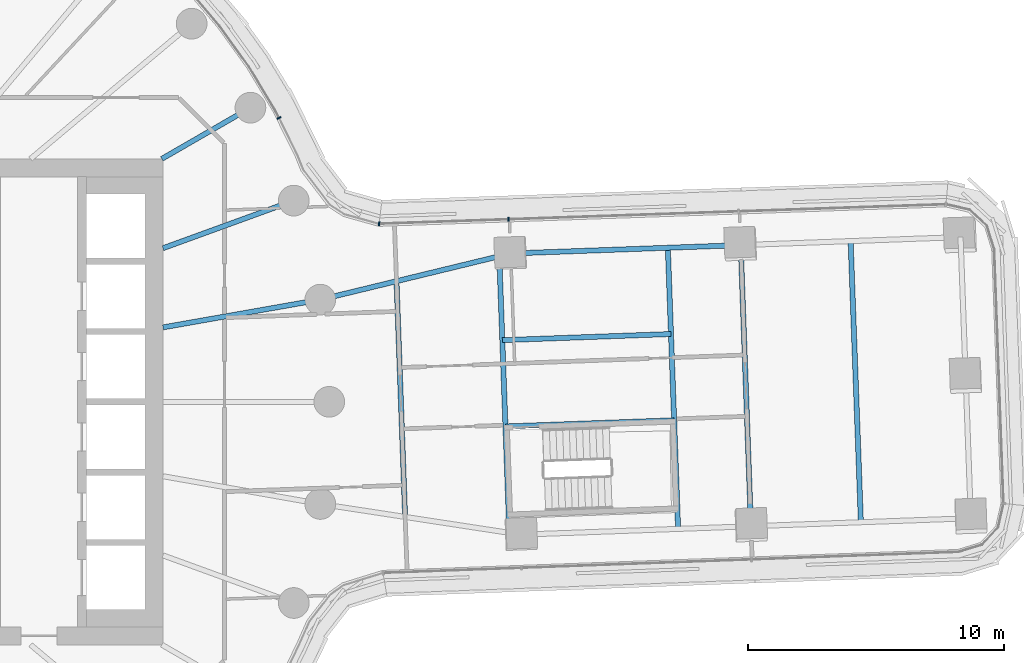
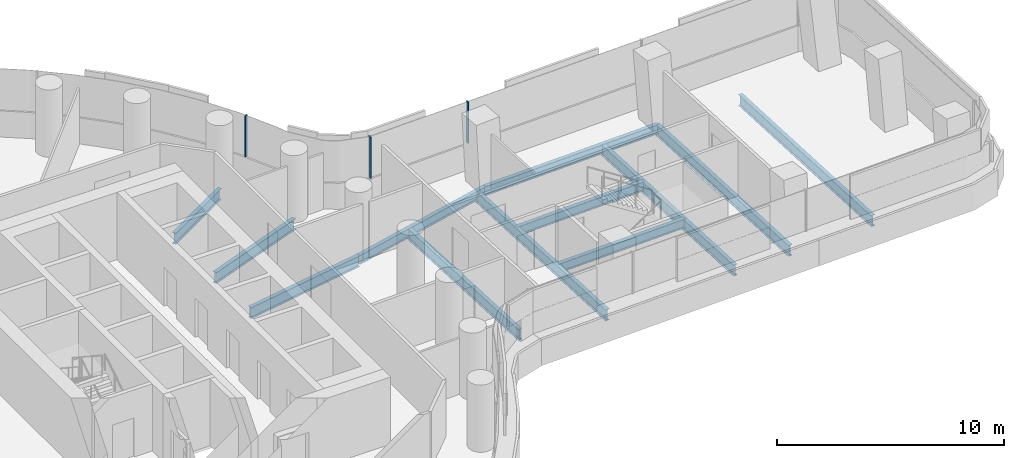
# One storey, part 11 of 31: 12 beams, 3 members, 2 elements without a shape of their own.
"""IFC4 building model written with IfcOpenShell, lengths in metres."""

from ifc_helpers import new_model, si_unit, direction, frame, origin, origin_2d, place, context, subcontext, project, spatial, rectangle, i_section, extrude, material, layer, layer_set, material_profile, profile_set, type_object, element, aggregate, save


model = new_model("IFC4")

# Units and contexts
model_context = context("Model", 3, precision=1e-05, world=origin(), true_north=direction((0.0, 1.0)))
body_context = subcontext(model_context, "Body", "Model", "MODEL_VIEW")
ifc_project = project(units=[si_unit("LENGTHUNIT", "METRE"), si_unit("AREAUNIT", "SQUARE_METRE"), si_unit("VOLUMEUNIT", "CUBIC_METRE"), si_unit("PLANEANGLEUNIT", "RADIAN"), si_unit("MASSUNIT", "GRAM", prefix="KILO")], contexts=[model_context])

# Site, building, storey
site_placement = place(None, origin())
site = spatial("IfcSite", under=ifc_project, at=site_placement, CompositionType="ELEMENT")
building_placement = place(site_placement, origin())
building = spatial("IfcBuilding", under=site, at=building_placement, Name="Tamarind Cross Interchange Tower", CompositionType="ELEMENT")
storey_placement = place(building_placement, frame((0.0, 0.0, 41.5)))
storey = spatial("IfcBuildingStorey", under=building, at=storey_placement, Name="L08", CompositionType="ELEMENT", Elevation=41.5)

# Beams
ifc_material_1 = material(Name="Steel Q355B", Category="steel")
ifc_material_profile_1 = material_profile(ifc_material_1, i_section(OverallWidth=0.198974609375, OverallDepth=0.49609375, WebThickness=0.009033203125, FlangeThickness=0.013916015625, FilletRadius=0.012939453125, at=origin_2d()), Name="HN 496x199x9x14")
ifc_profile_set_1 = profile_set([ifc_material_profile_1], Name="Steel Q355B")
beam_type_1 = type_object("IfcBeamType", Name="Composite beam HN 496x199x9x14 Q355B", PredefinedType="BEAM", material=ifc_profile_set_1)
beam_1_placement = place(storey_placement, frame((39.087890625, 6.127197265625, -0.387939453125), z_axis=(-0.999335156233, -0.036458819457, 0.0), x_axis=(0.036458819457, -0.999335156233, 0.0)))
element("IfcBeam", 1, at=beam_1_placement, inside=storey, type_object=beam_type_1, Name="Beam E-edgeep3", PredefinedType="BEAM", context=body_context, shape_type="SweptSolid", body=[
    extrude(i_section(OverallWidth=0.198974609375, OverallDepth=0.49609375, WebThickness=0.009033203125, FlangeThickness=0.013916015625, FilletRadius=0.012939453125, at=origin_2d()), origin(), (0.0, 0.0, 1.0), 9.0),
])
beam_2_placement = place(storey_placement, frame((30.093994140625, 5.799072265625, -0.387939453125), z_axis=(-0.971828427159, -0.235689431593, 0.0), x_axis=(0.235689431593, -0.971828427159, 0.0)))
element("IfcBeam", 2, at=beam_2_placement, inside=storey, type_object=beam_type_1, Name="Beam E-linkep", PredefinedType="BEAM", context=body_context, shape_type="SweptSolid", body=[
    extrude(i_section(OverallWidth=0.198974609375, OverallDepth=0.49609375, WebThickness=0.009033203125, FlangeThickness=0.013916015625, FilletRadius=0.012939453125, at=origin_2d()), origin(), (0.0, 0.0, 1.0), 7.6591796875),
])
beam_3_placement = place(storey_placement, frame((29.890380859375, -0.962890625, -0.387939453125), z_axis=(0.999334653103, 0.036472607638, 0.0), x_axis=(-0.036472607638, 0.999334653103, 0.0)))
element("IfcBeam", 3, at=beam_3_placement, inside=storey, type_object=beam_type_1, Name="Beam E-tr1", PredefinedType="BEAM", context=body_context, shape_type="SweptSolid", body=[
    extrude(i_section(OverallWidth=0.198974609375, OverallDepth=0.49609375, WebThickness=0.009033203125, FlangeThickness=0.013916015625, FilletRadius=0.012939453125, at=origin_2d()), origin(), (0.0, 0.0, 1.0), 6.60009765625),
])
beam_4_placement = place(storey_placement, frame((29.767333984375, 2.409912109375, -0.387939453125), z_axis=(0.999335951553, 0.036437013225, 0.0), x_axis=(-0.036437013225, 0.999335951553, 0.0)))
element("IfcBeam", 4, at=beam_4_placement, inside=storey, type_object=beam_type_1, Name="Beam E-stripp", PredefinedType="BEAM", context=body_context, shape_type="SweptSolid", body=[
    extrude(i_section(OverallWidth=0.198974609375, OverallDepth=0.49609375, WebThickness=0.009033203125, FlangeThickness=0.013916015625, FilletRadius=0.012939453125, at=origin_2d()), origin(), (0.0, 0.0, 1.0), 6.599853515625),
])
ifc_material_profile_2 = material_profile(ifc_material_1, i_section(OverallWidth=0.198974609375, OverallDepth=0.595947265625, WebThickness=0.010009765625, FlangeThickness=0.014892578125, FilletRadius=0.012939453125, at=origin_2d()), Name="HN 596x199x10x15")
ifc_profile_set_2 = profile_set([ifc_material_profile_2], Name="Steel Q355B")
beam_type_2 = type_object("IfcBeamType", Name="Composite beam HN 596x199x10x15 Q355B", PredefinedType="BEAM", material=ifc_profile_set_2)
beam_5_placement = place(storey_placement, frame((22.650634765625, 3.993896484375, -0.43798828125), z_axis=(-0.984809127561, -0.173640382036, 0.0), x_axis=(0.173640382036, -0.984809127561, 0.0)))
element("IfcBeam", 5, at=beam_5_placement, inside=storey, type_object=beam_type_2, Name="Beam HH01", PredefinedType="BEAM", context=body_context, shape_type="SweptSolid", body=[
    extrude(i_section(OverallWidth=0.198974609375, OverallDepth=0.595947265625, WebThickness=0.010009765625, FlangeThickness=0.014892578125, FilletRadius=0.012939453125, at=origin_2d()), origin(), (0.0, 0.0, 1.0), 6.24560546875),
])
beam_6_placement = place(storey_placement, frame((21.613037109375, 7.866455078125, -0.43798828125), z_axis=(-0.939701685589, -0.341995236956, 0.0), x_axis=(0.341995236956, -0.939701685589, 0.0)))
element("IfcBeam", 6, at=beam_6_placement, inside=storey, type_object=beam_type_2, Name="Beam HH02", PredefinedType="BEAM", context=body_context, shape_type="SweptSolid", body=[
    extrude(i_section(OverallWidth=0.198974609375, OverallDepth=0.595947265625, WebThickness=0.010009765625, FlangeThickness=0.014892578125, FilletRadius=0.012939453125, at=origin_2d()), origin(), (0.0, 0.0, 1.0), 5.441162109375),
])
beam_7_placement = place(storey_placement, frame((19.918701171875, 11.5, -0.43798828125), z_axis=(-0.866026010844, -0.49999894854, 0.0), x_axis=(0.49999894854, -0.866026010844, 0.0)))
element("IfcBeam", 7, at=beam_7_placement, inside=storey, type_object=beam_type_2, Name="Beam HH03", PredefinedType="BEAM", context=body_context, shape_type="SweptSolid", body=[
    extrude(i_section(OverallWidth=0.198974609375, OverallDepth=0.595947265625, WebThickness=0.010009765625, FlangeThickness=0.014892578125, FilletRadius=0.012939453125, at=origin_2d()), origin(), (0.0, 0.0, 1.0), 4.0),
])
ifc_material_profile_3 = material_profile(ifc_material_1, i_section(OverallWidth=0.199951171875, OverallDepth=0.60009765625, WebThickness=0.010986328125, FlangeThickness=0.01708984375, FilletRadius=0.012939453125, at=origin_2d()), Name="HN 600x200x11x17")
ifc_profile_set_3 = profile_set([ifc_material_profile_3], Name="Steel Q355B")
beam_type_3 = type_object("IfcBeamType", Name="Composite beam HN 600x200x11x17 Q355B", PredefinedType="BEAM", material=ifc_profile_set_3)
beam_8_placement = place(storey_placement, frame((30.042236328125, -5.12451171875, -0.43994140625), z_axis=(-0.036455130589, 0.999335290808, 0.0), x_axis=(-0.999335290808, -0.036455130589, 0.0)))
element("IfcBeam", 8, at=beam_8_placement, inside=storey, type_object=beam_type_3, Name="Beam E-x298", PredefinedType="BEAM", context=body_context, shape_type="SweptSolid", body=[
    extrude(i_section(OverallWidth=0.199951171875, OverallDepth=0.60009765625, WebThickness=0.010986328125, FlangeThickness=0.01708984375, FilletRadius=0.012939453125, at=origin_2d()), origin(), (0.0, 0.0, 1.0), 10.822265625),
])
for number, where, z_axis, x_axis, name in (
    (9, (36.640869140625, -4.969482421875, -0.43994140625), (-0.036465758577, 0.999334903049, 0.0), (-0.999334903049, -0.036465758577, 0.0), "Beam E-x364"),
    (10, (39.489013671875, -4.865478515625, -0.43994140625), (-0.036465758577, 0.999334903049, 0.0), (-0.999334903049, -0.036465758577, 0.0), "Beam E-x393"),
):
    element("IfcBeam", number, at=place(storey_placement, frame(where, z_axis=z_axis, x_axis=x_axis)), inside=storey, type_object=beam_type_3, Name=name, PredefinedType="BEAM", context=body_context, shape_type="SweptSolid", body=[
        extrude(i_section(OverallWidth=0.199951171875, OverallDepth=0.60009765625, WebThickness=0.010986328125, FlangeThickness=0.01708984375, FilletRadius=0.012939453125, at=origin_2d()), origin(), (0.0, 0.0, 1.0), 11.0),
    ])
beam_9_placement = place(storey_placement, frame((25.966796875, -4.501220703125, -0.43994140625), z_axis=(-0.036473226001, 0.999334630534, 0.0), x_axis=(-0.999334630534, -0.036473226001, 0.0)))
element("IfcBeam", 11, at=beam_9_placement, inside=storey, type_object=beam_type_3, Name="Beam E-x258", PredefinedType="BEAM", context=body_context, shape_type="SweptSolid", body=[
    extrude(i_section(OverallWidth=0.199951171875, OverallDepth=0.60009765625, WebThickness=0.010986328125, FlangeThickness=0.01708984375, FilletRadius=0.012939453125, at=origin_2d()), origin(), (0.0, 0.0, 1.0), 9.223876953125),
])
beam_10_placement = place(storey_placement, frame((43.787353515625, -4.708740234375, -0.43994140625), z_axis=(-0.036465758577, 0.999334903049, 0.0), x_axis=(-0.999334903049, -0.036465758577, 0.0)))
element("IfcBeam", 12, at=beam_10_placement, inside=storey, type_object=beam_type_3, Name="Beam E-x436", PredefinedType="BEAM", context=body_context, shape_type="SweptSolid", body=[
    extrude(i_section(OverallWidth=0.199951171875, OverallDepth=0.60009765625, WebThickness=0.010986328125, FlangeThickness=0.01708984375, FilletRadius=0.012939453125, at=origin_2d()), origin(), (0.0, 0.0, 1.0), 11.0),
])

# Curtain wall, member
ifc_material_2 = material(Name="Aluminium 6063-T6", Category="aluminium")
ifc_layer = layer(ifc_material_2, 0.159912109375)
ifc_layer_set = layer_set([ifc_layer], Name="Aluminium 6063-T6")
curtain_wall_type = type_object("IfcCurtainWallType", Name="Office curtain wall, 9.0 m bays", PredefinedType="NOTDEFINED", material=ifc_layer_set)
curtain_wall_1_placement = place(storey_placement, origin())
curtain_wall_1 = element("IfcCurtainWall", 13, at=curtain_wall_1_placement, inside=storey, type_object=curtain_wall_type, Name="CWS-L08-09", PredefinedType="NOTDEFINED")
ifc_material_profile_4 = material_profile(ifc_material_2, rectangle(XDim=0.06005859375, YDim=0.159912109375, at=origin_2d()), Name="Mullion CW1")
ifc_profile_set_4 = profile_set([ifc_material_profile_4], Name="Aluminium 6063-T6")
member_type = type_object("IfcMemberType", Name="Mullion CW1", PredefinedType="MULLION", material=ifc_profile_set_4)
member_1_placement = place(storey_placement, frame((30.01513671875, 7.13330078125, 1.39990234375), z_axis=(0.0, 0.0, 1.0), x_axis=(-0.999410116016, -0.034342684894, 0.0)))
member_1 = element("IfcMember", 14, at=member_1_placement, type_object=member_type, Name="CWM-L08-09-02", PredefinedType="MULLION", context=body_context, shape_type="SweptSolid", body=[
    extrude(rectangle(XDim=0.06005859375, YDim=0.159912109375, at=origin_2d()), origin(), (0.0, 0.0, 1.0), 2.210205078125),
])
aggregate(curtain_wall_1, [member_1])

# Curtain wall, members
curtain_wall_2_placement = place(storey_placement, origin())
curtain_wall_2 = element("IfcCurtainWall", 15, at=curtain_wall_2_placement, inside=storey, type_object=curtain_wall_type, Name="CWS-L08-10", PredefinedType="NOTDEFINED")
member_2_placement = place(storey_placement, frame((24.949462890625, 6.959228515625, 1.39990234375), z_axis=(0.0, 0.0, 1.0), x_axis=(-0.992928494772, 0.118713959875, 0.0)))
member_2 = element("IfcMember", 16, at=member_2_placement, type_object=member_type, Name="CWM-L08-10-00", PredefinedType="MULLION", context=body_context, shape_type="SweptSolid", body=[
    extrude(rectangle(XDim=0.06005859375, YDim=0.159912109375, at=origin_2d()), origin(), (0.0, 0.0, 1.0), 2.210205078125),
])
member_3_placement = place(storey_placement, frame((21.035888671875, 11.097900390625, 1.39990234375), z_axis=(0.0, 0.0, 1.0), x_axis=(-0.443058811505, 0.896492548518, 0.0)))
member_3 = element("IfcMember", 17, at=member_3_placement, type_object=member_type, Name="CWM-L08-10-01", PredefinedType="MULLION", context=body_context, shape_type="SweptSolid", body=[
    extrude(rectangle(XDim=0.06005859375, YDim=0.159912109375, at=origin_2d()), origin(), (0.0, 0.0, 1.0), 2.210205078125),
])
aggregate(curtain_wall_2, [member_2, member_3])

save(model, "model.ifc")
